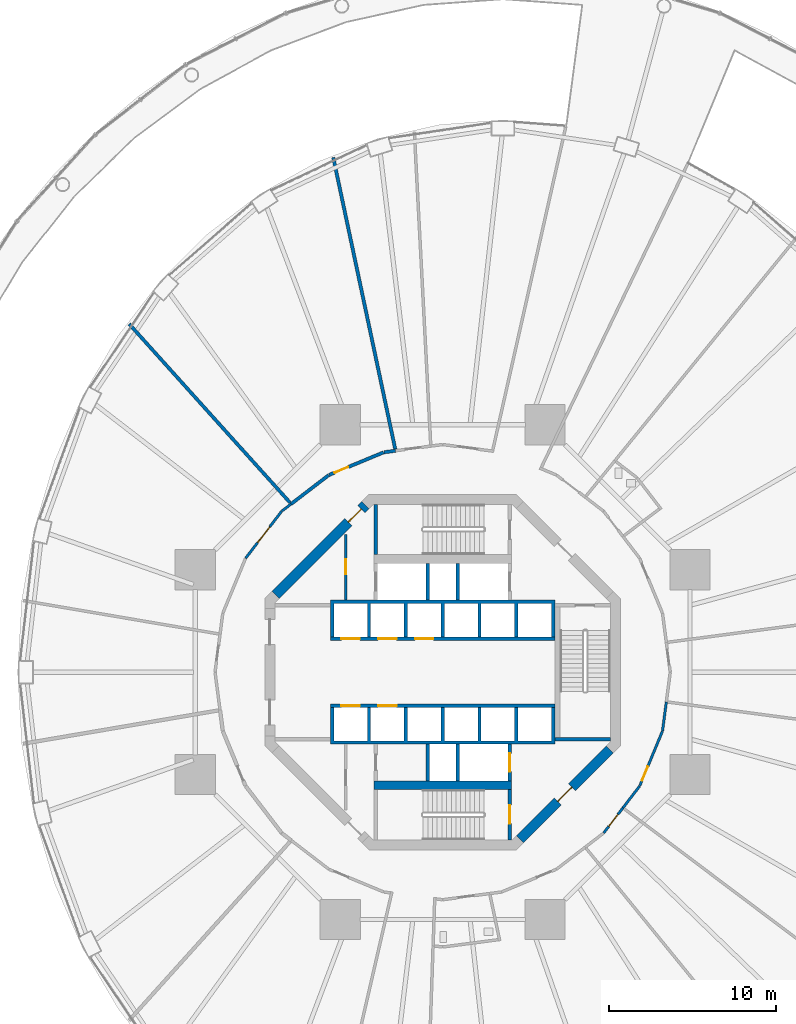
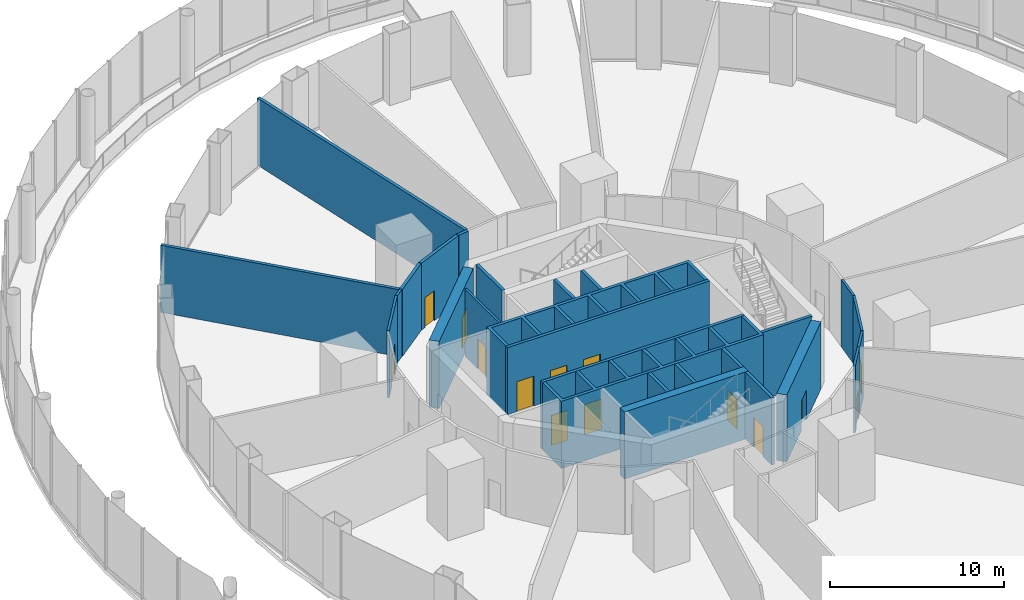
# One storey, part 43 of 48: 27 walls, 14 doors, 14 openings.
"""IFC4 building model written with IfcOpenShell, lengths in metres."""

from ifc_helpers import new_model, si_unit, direction, frame, frame_2d, origin, place, context, subcontext, project, spatial, polyline, rectangle, outline, extrude, material, layer, layer_set, type_object, element, fill, save


model = new_model("IFC4")

# Units and contexts
model_context = context("Model", 3, precision=1e-05, world=origin(), true_north=direction((0.0, 1.0)))
body_context = subcontext(model_context, "Body", "Model", "MODEL_VIEW")
ifc_project = project(units=[si_unit("LENGTHUNIT", "METRE"), si_unit("AREAUNIT", "SQUARE_METRE"), si_unit("VOLUMEUNIT", "CUBIC_METRE"), si_unit("PLANEANGLEUNIT", "RADIAN"), si_unit("MASSUNIT", "GRAM", prefix="KILO")], contexts=[model_context])

# Site, building, storey
site_placement = place(None, origin())
site = spatial("IfcSite", under=ifc_project, at=site_placement, CompositionType="ELEMENT")
building_placement = place(site_placement, origin())
building = spatial("IfcBuilding", under=site, at=building_placement, Name="Nagisa Residences", CompositionType="ELEMENT")
storey_placement = place(building_placement, frame((0.0, 0.0, 12.0)))
storey = spatial("IfcBuildingStorey", under=building, at=storey_placement, Name="L02", CompositionType="ELEMENT", Elevation=12.0)

# Wall, opening, door
ifc_material_1 = material(Name="Gypsum board on steel studs", Category="steel")
ifc_layer_1 = layer(ifc_material_1, 0.14990234375)
ifc_layer_set_1 = layer_set([ifc_layer_1], Name="Core partition 150")
wall_type_1 = type_object("IfcWallType", Name="Core partition 150", PredefinedType="PARTITIONING", material=ifc_layer_set_1)
wall_1_placement = place(storey_placement, frame((-5.800048828125, 4.300048828125, 0.0), z_axis=(0.0, 0.0, 1.0), x_axis=(0.0, 1.0, 0.0)))
wall_1 = element("IfcWall", 1, at=wall_1_placement, inside=storey, type_object=wall_type_1, Name="wall:L02:NWp", PredefinedType="PARTITIONING", context=body_context, shape_type="SweptSolid", body=[
    extrude(rectangle(XDim=3.927001953125, YDim=0.14990234375, at=frame_2d((1.96337890625, 0.0))), origin(), (0.0, 0.0, 1.0), 4.699951171875),
])
opening_1_placement = place(wall_1_placement, frame((1.551025390625, 0.0, 0.0)))
opening_1 = element("IfcOpeningElement", 2, at=opening_1_placement, cuts=wall_1, Name="Opening L02-C12", PredefinedType="OPENING", context=body_context, shape_type="SweptSolid", body=[
    extrude(rectangle(XDim=0.89990234375, YDim=2.10009765625, at=frame_2d((0.449951171875, 1.050048828125))), frame((0.0, 0.0849609375, 0.0), z_axis=(0.0, -1.0, 0.0), x_axis=(1.0, 0.0, 0.0)), (0.0, 0.0, 1.0), 0.169921875),
])
ifc_material_2 = material(Name="Steel fire door", Category="steel")
door_type_1 = type_object("IfcDoorType", Name="Fire door EI30 900x2100 single swing", OperationType="NOTDEFINED", PredefinedType="DOOR", material=ifc_material_2)
door_1_placement = place(opening_1_placement, origin())
door_1 = element("IfcDoor", 3, at=door_1_placement, inside=storey, type_object=door_type_1, Name="Electrical room door L02", OperationType="SINGLE_SWING_LEFT", OverallHeight=2.10009765625, OverallWidth=0.89990234375, PredefinedType="DOOR", context=body_context, shape_type="SweptSolid", body=[
    extrude(rectangle(XDim=0.89990234375, YDim=2.10009765625, at=frame_2d((0.449951171875, 1.050048828125))), frame((0.0, 0.02490234375, 0.0), z_axis=(0.0, -1.0, 0.0), x_axis=(1.0, 0.0, 0.0)), (0.0, 0.0, 1.0), 0.050048828125),
])
fill(opening_1, door_1)

ifc_material_3 = material(Name="Concrete C60", Category="concrete")
ifc_layer_2 = layer(ifc_material_3, 0.60009765625)
ifc_layer_set_2 = layer_set([ifc_layer_2], Name="Core shear wall 600")
wall_type_2 = type_object("IfcWallType", Name="Core shear wall 600", PredefinedType="SHEAR", material=ifc_layer_set_2)
wall_2_placement = place(storey_placement, frame((-4.613037109375, 9.98828125, 0.0), z_axis=(0.0, 0.0, 1.0), x_axis=(-0.707106781187, -0.707106781187, 0.0)))
wall_2 = element("IfcWall", 4, at=wall_2_placement, inside=storey, type_object=wall_type_2, Name="wall:L02:core:flat3", PredefinedType="SHEAR", context=body_context, shape_type="SweptSolid", body=[
    extrude(rectangle(XDim=7.601806640625, YDim=0.60009765625, at=frame_2d((3.80078125, 0.0))), origin(), (0.0, 0.0, 1.0), 4.699951171875),
])
opening_2_placement = place(wall_2_placement, frame((0.350830078125, 0.0, 0.0)))
opening_2 = element("IfcOpeningElement", 5, at=opening_2_placement, cuts=wall_2, Name="Opening L02-C19", PredefinedType="OPENING", context=body_context, shape_type="SweptSolid", body=[
    extrude(rectangle(XDim=1.10009765625, YDim=2.10009765625, at=frame_2d((0.550048828125, 1.050048828125))), frame((0.0, 0.31005859375, 0.0), z_axis=(0.0, -1.0, 0.0), x_axis=(1.0, 0.0, 0.0)), (0.0, 0.0, 1.0), 0.6201171875),
])
ifc_material_4 = material(Name="Steel fire door", Category="steel")
door_type_2 = type_object("IfcDoorType", Name="Fire door EI60 1100x2100 single swing", OperationType="NOTDEFINED", PredefinedType="DOOR", material=ifc_material_4)
door_2_placement = place(opening_2_placement, origin())
door_2 = element("IfcDoor", 6, at=door_2_placement, inside=storey, type_object=door_type_2, Name="Service lobby door L02", OperationType="SINGLE_SWING_RIGHT", OverallHeight=2.10009765625, OverallWidth=1.10009765625, PredefinedType="DOOR", context=body_context, shape_type="SweptSolid", body=[
    extrude(rectangle(XDim=1.10009765625, YDim=2.10009765625, at=frame_2d((0.550048828125, 1.050048828125))), frame((0.0, 0.02490234375, 0.0), z_axis=(0.0, -1.0, 0.0), x_axis=(1.0, 0.0, 0.0)), (0.0, 0.0, 1.0), 0.050048828125),
])
fill(opening_2, door_2)

wall_3_placement = place(storey_placement, frame((4.613037109375, -9.98828125, 0.0), z_axis=(0.0, 0.0, 1.0), x_axis=(0.707106781187, 0.707106781187, 0.0)))
wall_3 = element("IfcWall", 7, at=wall_3_placement, inside=storey, type_object=wall_type_2, Name="wall:L02:core:flat7", PredefinedType="SHEAR", context=body_context, shape_type="SweptSolid", body=[
    extrude(rectangle(XDim=7.601806640625, YDim=0.60009765625, at=frame_2d((3.80078125, 0.0))), origin(), (0.0, 0.0, 1.0), 4.699951171875),
])
opening_3_placement = place(wall_3_placement, frame((3.200927734375, 0.0, 0.0)))
opening_3 = element("IfcOpeningElement", 8, at=opening_3_placement, cuts=wall_3, Name="Opening L02-C16", PredefinedType="OPENING", context=body_context, shape_type="SweptSolid", body=[
    extrude(rectangle(XDim=1.199951171875, YDim=2.10009765625, at=frame_2d((0.60009765625, 1.050048828125))), frame((0.0, 0.31005859375, 0.0), z_axis=(0.0, -1.0, 0.0), x_axis=(1.0, 0.0, 0.0)), (0.0, 0.0, 1.0), 0.6201171875),
])
ifc_material_5 = material(Name="Steel fire door", Category="steel")
door_type_3 = type_object("IfcDoorType", Name="Fire door EI60 1200x2100 single swing", OperationType="NOTDEFINED", PredefinedType="DOOR", material=ifc_material_5)
door_3_placement = place(opening_3_placement, origin())
door_3 = element("IfcDoor", 9, at=door_3_placement, inside=storey, type_object=door_type_3, Name="Firefighting lobby 2 door L02", OperationType="SINGLE_SWING_RIGHT", OverallHeight=2.10009765625, OverallWidth=1.199951171875, PredefinedType="DOOR", context=body_context, shape_type="SweptSolid", body=[
    extrude(rectangle(XDim=1.199951171875, YDim=2.10009765625, at=frame_2d((0.60009765625, 1.050048828125))), frame((0.0, 0.02490234375, 0.0), z_axis=(0.0, -1.0, 0.0), x_axis=(1.0, 0.0, 0.0)), (0.0, 0.0, 1.0), 0.050048828125),
])
fill(opening_3, door_3)

# Wall, openings, doors
ifc_material_6 = material(Name="Concrete C60", Category="concrete")
ifc_layer_3 = layer(ifc_material_6, 0.199951171875)
ifc_layer_set_3 = layer_set([ifc_layer_3], Name="Lift shaft wall 200")
wall_type_3 = type_object("IfcWallType", Name="Lift shaft wall 200", PredefinedType="SOLIDWALL", material=ifc_layer_set_3)
wall_4_placement = place(storey_placement, frame((-6.699951171875, 2.0, 0.0), z_axis=(0.0, 0.0, 1.0), x_axis=(1.0, 0.0, 0.0)))
wall_4 = element("IfcWall", 10, at=wall_4_placement, inside=storey, type_object=wall_type_3, Name="wall:L02:Nfront", PredefinedType="SOLIDWALL", context=body_context, shape_type="SweptSolid", body=[
    extrude(rectangle(XDim=13.39990234375, YDim=0.199951171875, at=frame_2d((6.699951171875, 0.0))), origin(), (0.0, 0.0, 1.0), 4.699951171875),
])
opening_4_placement = place(wall_4_placement, frame((0.64990234375, 0.0, 0.0)))
opening_4 = element("IfcOpeningElement", 11, at=opening_4_placement, cuts=wall_4, Name="Opening L02-C01", PredefinedType="OPENING", context=body_context, shape_type="SweptSolid", body=[
    extrude(rectangle(XDim=1.10009765625, YDim=2.10009765625, at=frame_2d((0.550048828125, 1.050048828125))), frame((0.0, 0.10986328125, 0.0), z_axis=(0.0, -1.0, 0.0), x_axis=(1.0, 0.0, 0.0)), (0.0, 0.0, 1.0), 0.219970703125),
])
opening_5_placement = place(wall_4_placement, frame((2.85009765625, 0.0, 0.0)))
opening_5 = element("IfcOpeningElement", 12, at=opening_5_placement, cuts=wall_4, Name="Opening L02-C02", PredefinedType="OPENING", context=body_context, shape_type="SweptSolid", body=[
    extrude(rectangle(XDim=1.10009765625, YDim=2.10009765625, at=frame_2d((0.550048828125, 1.050048828125))), frame((0.0, 0.10986328125, 0.0), z_axis=(0.0, -1.0, 0.0), x_axis=(1.0, 0.0, 0.0)), (0.0, 0.0, 1.0), 0.219970703125),
])
opening_6_placement = place(wall_4_placement, frame((5.050048828125, 0.0, 0.0)))
opening_6 = element("IfcOpeningElement", 13, at=opening_6_placement, cuts=wall_4, Name="Opening L02-C03", PredefinedType="OPENING", context=body_context, shape_type="SweptSolid", body=[
    extrude(rectangle(XDim=1.10009765625, YDim=2.10009765625, at=frame_2d((0.550048828125, 1.050048828125))), frame((0.0, 0.10986328125, 0.0), z_axis=(0.0, -1.0, 0.0), x_axis=(1.0, 0.0, 0.0)), (0.0, 0.0, 1.0), 0.219970703125),
])
ifc_material_7 = material(Name="Stainless steel", Category="steel")
door_type_4 = type_object("IfcDoorType", Name="Lift landing door 1100x2100", OperationType="DOUBLE_DOOR_SLIDING", PredefinedType="DOOR", material=ifc_material_7)
door_4_placement = place(opening_4_placement, origin())
door_4 = element("IfcDoor", 14, at=door_4_placement, inside=storey, type_object=door_type_4, Name="Landing door A1 L02", OperationType="DOUBLE_DOOR_SLIDING", OverallHeight=2.10009765625, OverallWidth=1.10009765625, PredefinedType="DOOR", context=body_context, shape_type="SweptSolid", body=[
    extrude(rectangle(XDim=1.10009765625, YDim=2.10009765625, at=frame_2d((0.550048828125, 1.050048828125))), frame((0.0, 0.02490234375, 0.0), z_axis=(0.0, -1.0, 0.0), x_axis=(1.0, 0.0, 0.0)), (0.0, 0.0, 1.0), 0.050048828125),
])
fill(opening_4, door_4)
door_5_placement = place(opening_5_placement, origin())
door_5 = element("IfcDoor", 15, at=door_5_placement, inside=storey, type_object=door_type_4, Name="Landing door A2 L02", OperationType="DOUBLE_DOOR_SLIDING", OverallHeight=2.10009765625, OverallWidth=1.10009765625, PredefinedType="DOOR", context=body_context, shape_type="SweptSolid", body=[
    extrude(rectangle(XDim=1.10009765625, YDim=2.10009765625, at=frame_2d((0.550048828125, 1.050048828125))), frame((0.0, 0.02490234375, 0.0), z_axis=(0.0, -1.0, 0.0), x_axis=(1.0, 0.0, 0.0)), (0.0, 0.0, 1.0), 0.050048828125),
])
fill(opening_5, door_5)
door_6_placement = place(opening_6_placement, origin())
door_6 = element("IfcDoor", 16, at=door_6_placement, inside=storey, type_object=door_type_4, Name="Landing door A3 L02", OperationType="DOUBLE_DOOR_SLIDING", OverallHeight=2.10009765625, OverallWidth=1.10009765625, PredefinedType="DOOR", context=body_context, shape_type="SweptSolid", body=[
    extrude(rectangle(XDim=1.10009765625, YDim=2.10009765625, at=frame_2d((0.550048828125, 1.050048828125))), frame((0.0, 0.02490234375, 0.0), z_axis=(0.0, -1.0, 0.0), x_axis=(1.0, 0.0, 0.0)), (0.0, 0.0, 1.0), 0.050048828125),
])
fill(opening_6, door_6)

# Wall, opening, door
wall_5_placement = place(storey_placement, frame((4.0, -6.5, 0.0), z_axis=(0.0, 0.0, 1.0), x_axis=(0.0, 1.0, 0.0)))
wall_5 = element("IfcWall", 17, at=wall_5_placement, inside=storey, type_object=wall_type_3, Name="wall:L02:Sb3", PredefinedType="SOLIDWALL", context=body_context, shape_type="SweptSolid", body=[
    extrude(rectangle(XDim=2.199951171875, YDim=0.199951171875, at=frame_2d((1.10009765625, 0.0))), origin(), (0.0, 0.0, 1.0), 4.699951171875),
])
opening_7_placement = place(wall_5_placement, frame((0.550048828125, 0.0, 0.0)))
opening_7 = element("IfcOpeningElement", 18, at=opening_7_placement, cuts=wall_5, Name="Opening L02-C07", PredefinedType="OPENING", context=body_context, shape_type="SweptSolid", body=[
    extrude(rectangle(XDim=1.10009765625, YDim=2.10009765625, at=frame_2d((0.550048828125, 1.050048828125))), frame((0.0, 0.10986328125, 0.0), z_axis=(0.0, -1.0, 0.0), x_axis=(1.0, 0.0, 0.0)), (0.0, 0.0, 1.0), 0.219970703125),
])
door_7_placement = place(opening_7_placement, origin())
door_7 = element("IfcDoor", 19, at=door_7_placement, inside=storey, type_object=door_type_4, Name="Landing door FL2 L02", OperationType="DOUBLE_DOOR_SLIDING", OverallHeight=2.10009765625, OverallWidth=1.10009765625, PredefinedType="DOOR", context=body_context, shape_type="SweptSolid", body=[
    extrude(rectangle(XDim=1.10009765625, YDim=2.10009765625, at=frame_2d((0.550048828125, 1.050048828125))), frame((0.0, 0.02490234375, 0.0), z_axis=(0.0, -1.0, 0.0), x_axis=(1.0, 0.0, 0.0)), (0.0, 0.0, 1.0), 0.050048828125),
])
fill(opening_7, door_7)

# Wall, openings, doors
wall_6_placement = place(storey_placement, frame((-6.699951171875, -2.0, 0.0), z_axis=(0.0, 0.0, 1.0), x_axis=(1.0, 0.0, 0.0)))
wall_6 = element("IfcWall", 20, at=wall_6_placement, inside=storey, type_object=wall_type_3, Name="wall:L02:Sfront", PredefinedType="SOLIDWALL", context=body_context, shape_type="SweptSolid", body=[
    extrude(rectangle(XDim=13.39990234375, YDim=0.199951171875, at=frame_2d((6.699951171875, 0.0))), origin(), (0.0, 0.0, 1.0), 4.699951171875),
])
opening_8_placement = place(wall_6_placement, frame((0.64990234375, 0.0, 0.0)))
opening_8 = element("IfcOpeningElement", 21, at=opening_8_placement, cuts=wall_6, Name="Opening L02-C04", PredefinedType="OPENING", context=body_context, shape_type="SweptSolid", body=[
    extrude(rectangle(XDim=1.10009765625, YDim=2.10009765625, at=frame_2d((0.550048828125, 1.050048828125))), frame((0.0, 0.10986328125, 0.0), z_axis=(0.0, -1.0, 0.0), x_axis=(1.0, 0.0, 0.0)), (0.0, 0.0, 1.0), 0.219970703125),
])
opening_9_placement = place(wall_6_placement, frame((2.85009765625, 0.0, 0.0)))
opening_9 = element("IfcOpeningElement", 22, at=opening_9_placement, cuts=wall_6, Name="Opening L02-C05", PredefinedType="OPENING", context=body_context, shape_type="SweptSolid", body=[
    extrude(rectangle(XDim=1.10009765625, YDim=2.10009765625, at=frame_2d((0.550048828125, 1.050048828125))), frame((0.0, 0.10986328125, 0.0), z_axis=(0.0, -1.0, 0.0), x_axis=(1.0, 0.0, 0.0)), (0.0, 0.0, 1.0), 0.219970703125),
])
door_8_placement = place(opening_8_placement, origin())
door_8 = element("IfcDoor", 23, at=door_8_placement, inside=storey, type_object=door_type_4, Name="Landing door A4 L02", OperationType="DOUBLE_DOOR_SLIDING", OverallHeight=2.10009765625, OverallWidth=1.10009765625, PredefinedType="DOOR", context=body_context, shape_type="SweptSolid", body=[
    extrude(rectangle(XDim=1.10009765625, YDim=2.10009765625, at=frame_2d((0.550048828125, 1.050048828125))), frame((0.0, 0.02490234375, 0.0), z_axis=(0.0, -1.0, 0.0), x_axis=(1.0, 0.0, 0.0)), (0.0, 0.0, 1.0), 0.050048828125),
])
fill(opening_8, door_8)
door_9_placement = place(opening_9_placement, origin())
door_9 = element("IfcDoor", 24, at=door_9_placement, inside=storey, type_object=door_type_4, Name="Landing door A5 L02", OperationType="DOUBLE_DOOR_SLIDING", OverallHeight=2.10009765625, OverallWidth=1.10009765625, PredefinedType="DOOR", context=body_context, shape_type="SweptSolid", body=[
    extrude(rectangle(XDim=1.10009765625, YDim=2.10009765625, at=frame_2d((0.550048828125, 1.050048828125))), frame((0.0, 0.02490234375, 0.0), z_axis=(0.0, -1.0, 0.0), x_axis=(1.0, 0.0, 0.0)), (0.0, 0.0, 1.0), 0.050048828125),
])
fill(opening_9, door_9)

# Walls
for number, where, z_axis, x_axis, name in (
    (25, (-0.89990234375, -6.5, 0.0), (0.0, 0.0, 1.0), (0.0, 1.0, 0.0), "wall:L02:Sb1"),
    (26, (0.89990234375, -6.5, 0.0), (0.0, 0.0, 1.0), (0.0, 1.0, 0.0), "wall:L02:Sb2"),
):
    element("IfcWall", number, at=place(storey_placement, frame(where, z_axis=z_axis, x_axis=x_axis)), inside=storey, type_object=wall_type_3, Name=name, PredefinedType="SOLIDWALL", context=body_context, shape_type="SweptSolid", body=[
        extrude(rectangle(XDim=2.199951171875, YDim=0.199951171875, at=frame_2d((1.10009765625, 0.0))), origin(), (0.0, 0.0, 1.0), 4.699951171875),
    ])
wall_7_placement = place(storey_placement, origin())
element("IfcWall", 27, at=wall_7_placement, inside=storey, type_object=wall_type_3, Name="wall:L02:Sback", PredefinedType="SOLIDWALL", context=body_context, shape_type="SweptSolid", body=[
    extrude(outline(polyline([(-6.699951171875, -2.10009765625), (-6.5, -2.10009765625), (-6.5, -4.10009765625), (-4.5, -4.10009765625), (-4.5, -2.10009765625), (-4.300048828125, -2.10009765625), (-4.300048828125, -4.10009765625), (-2.300048828125, -4.10009765625), (-2.300048828125, -2.10009765625), (-2.10009765625, -2.10009765625), (-2.10009765625, -4.10009765625), (-0.10009765625, -4.10009765625), (-0.10009765625, -2.10009765625), (0.10009765625, -2.10009765625), (0.10009765625, -4.10009765625), (2.10009765625, -4.10009765625), (2.10009765625, -2.10009765625), (2.300048828125, -2.10009765625), (2.300048828125, -4.10009765625), (4.300048828125, -4.10009765625), (4.300048828125, -2.10009765625), (4.5, -2.10009765625), (4.5, -4.10009765625), (6.5, -4.10009765625), (6.5, -2.10009765625), (6.699951171875, -2.10009765625), (6.699951171875, -4.300048828125), (-6.699951171875, -4.300048828125), (-6.699951171875, -2.10009765625)])), origin(), (0.0, 0.0, 1.0), 4.699951171875),
])
for number, where, z_axis, x_axis, name in (
    (28, (-0.89990234375, 4.300048828125, 0.0), (0.0, 0.0, 1.0), (0.0, 1.0, 0.0), "wall:L02:Nb1"),
    (29, (0.89990234375, 4.300048828125, 0.0), (0.0, 0.0, 1.0), (0.0, 1.0, 0.0), "wall:L02:Nb2"),
):
    element("IfcWall", number, at=place(storey_placement, frame(where, z_axis=z_axis, x_axis=x_axis)), inside=storey, type_object=wall_type_3, Name=name, PredefinedType="SOLIDWALL", context=body_context, shape_type="SweptSolid", body=[
        extrude(rectangle(XDim=2.199951171875, YDim=0.199951171875, at=frame_2d((1.10009765625, 0.0))), origin(), (0.0, 0.0, 1.0), 4.699951171875),
    ])
wall_8_placement = place(storey_placement, origin())
element("IfcWall", 30, at=wall_8_placement, inside=storey, type_object=wall_type_3, Name="wall:L02:Nback", PredefinedType="SOLIDWALL", context=body_context, shape_type="SweptSolid", body=[
    extrude(outline(polyline([(-6.5, 2.10009765625), (-6.699951171875, 2.10009765625), (-6.699951171875, 4.300048828125), (6.699951171875, 4.300048828125), (6.699951171875, 2.10009765625), (6.5, 2.10009765625), (6.5, 4.10009765625), (4.5, 4.10009765625), (4.5, 2.10009765625), (4.300048828125, 2.10009765625), (4.300048828125, 4.10009765625), (2.300048828125, 4.10009765625), (2.300048828125, 2.10009765625), (2.10009765625, 2.10009765625), (2.10009765625, 4.10009765625), (0.10009765625, 4.10009765625), (0.10009765625, 2.10009765625), (-0.10009765625, 2.10009765625), (-0.10009765625, 4.10009765625), (-2.10009765625, 4.10009765625), (-2.10009765625, 2.10009765625), (-2.300048828125, 2.10009765625), (-2.300048828125, 4.10009765625), (-4.300048828125, 4.10009765625), (-4.300048828125, 2.10009765625), (-4.5, 2.10009765625), (-4.5, 4.10009765625), (-6.5, 4.10009765625), (-6.5, 2.10009765625)])), origin(), (0.0, 0.0, 1.0), 4.699951171875),
])
ifc_material_8 = material(Name="Gypsum board on steel studs", Category="steel")
ifc_layer_4 = layer(ifc_material_8, 0.199951171875)
ifc_layer_set_4 = layer_set([ifc_layer_4], Name="Plant room wall EI120 200")
wall_type_4 = type_object("IfcWallType", Name="Plant room wall EI120 200", PredefinedType="PARTITIONING", material=ifc_layer_set_4)
wall_9_placement = place(storey_placement, frame((-18.73095703125, 20.802734375, 0.0), z_axis=(0.0, 0.0, 1.0), x_axis=(0.669127133422, -0.743147952509, 0.0)))
element("IfcWall", 31, at=wall_9_placement, inside=storey, type_object=wall_type_4, Name="wall:L02:am051", PredefinedType="PARTITIONING", context=body_context, shape_type="SweptSolid", body=[
    extrude(rectangle(XDim=14.3671875, YDim=0.199951171875, at=frame_2d((7.18359375, 0.0))), origin(), (0.0, 0.0, 1.0), 4.699951171875),
])
wall_10_placement = place(storey_placement, frame((-9.05029296875, 10.05126953125, 0.0), z_axis=(0.0, 0.0, 1.0), x_axis=(0.793389024662, 0.608714921409, 0.0)))
element("IfcWall", 32, at=wall_10_placement, inside=storey, type_object=wall_type_4, Name="wall:L02:am057", PredefinedType="PARTITIONING", context=body_context, shape_type="SweptSolid", body=[
    extrude(rectangle(XDim=2.821044921875, YDim=0.199951171875, at=frame_2d((1.41064453125, 0.0))), origin(), (0.0, 0.0, 1.0), 4.699951171875),
])

# Wall, opening, door
wall_11_placement = place(storey_placement, frame((-6.785888671875, 11.78369140625, 0.0), z_axis=(0.0, 0.0, 1.0), x_axis=(0.92386297064, 0.382723413813, 0.0)))
wall_11 = element("IfcWall", 33, at=wall_11_placement, inside=storey, type_object=wall_type_4, Name="wall:L02:am058", PredefinedType="PARTITIONING", context=body_context, shape_type="SweptSolid", body=[
    extrude(rectangle(XDim=3.52001953125, YDim=0.199951171875, at=frame_2d((1.760009765625, 0.0))), origin(), (0.0, 0.0, 1.0), 4.699951171875),
])
opening_10_placement = place(wall_11_placement, frame((0.34228515625, 0.0, 0.0)))
opening_10 = element("IfcOpeningElement", 34, at=opening_10_placement, cuts=wall_11, Name="Opening L02-A06", PredefinedType="OPENING", context=body_context, shape_type="SweptSolid", body=[
    extrude(rectangle(XDim=0.89990234375, YDim=2.10009765625, at=frame_2d((0.449951171875, 1.050048828125))), frame((0.0, 0.10986328125, 0.0), z_axis=(0.0, -1.0, 0.0), x_axis=(1.0, 0.0, 0.0)), (0.0, 0.0, 1.0), 0.219970703125),
])
ifc_material_9 = material(Name="Steel fire door", Category="steel")
door_type_5 = type_object("IfcDoorType", Name="Fire door EI120 900x2100 single swing", OperationType="NOTDEFINED", PredefinedType="DOOR", material=ifc_material_9)
door_10_placement = place(opening_10_placement, origin())
door_10 = element("IfcDoor", 35, at=door_10_placement, inside=storey, type_object=door_type_5, Name="Club kitchen door", OperationType="SINGLE_SWING_RIGHT", OverallHeight=2.10009765625, OverallWidth=0.89990234375, PredefinedType="DOOR", context=body_context, shape_type="SweptSolid", body=[
    extrude(rectangle(XDim=0.89990234375, YDim=2.10009765625, at=frame_2d((0.449951171875, 1.050048828125))), frame((0.0, 0.02490234375, 0.0), z_axis=(0.0, -1.0, 0.0), x_axis=(1.0, 0.0, 0.0)), (0.0, 0.0, 1.0), 0.050048828125),
])
fill(opening_10, door_10)

# Walls
wall_12_placement = place(storey_placement, frame((-3.5048828125, 13.138671875, 0.0), z_axis=(0.0, 0.0, 1.0), x_axis=(0.991473310532, 0.130309917135, 0.0)))
element("IfcWall", 36, at=wall_12_placement, inside=storey, type_object=wall_type_4, Name="wall:L02:am059", PredefinedType="PARTITIONING", context=body_context, shape_type="SweptSolid", body=[
    extrude(rectangle(XDim=0.69873046875, YDim=0.199951171875, at=frame_2d((0.349365234375, 0.0))), origin(), (0.0, 0.0, 1.0), 4.699951171875),
])
wall_13_placement = place(storey_placement, frame((-2.8330078125, 13.327880859375, 0.0), z_axis=(0.0, 0.0, 1.0), x_axis=(-0.207909569071, 0.978148051722, 0.0)))
element("IfcWall", 37, at=wall_13_placement, inside=storey, type_object=wall_type_4, Name="wall:L02:am060", PredefinedType="PARTITIONING", context=body_context, shape_type="SweptSolid", body=[
    extrude(rectangle(XDim=17.8134765625, YDim=0.199951171875, at=frame_2d((8.90673828125, 0.0))), origin(), (0.0, 0.0, 1.0), 4.699951171875),
])

# Wall, opening, door
ifc_material_10 = material(Name="Gypsum board on steel studs", Category="steel")
ifc_layer_5 = layer(ifc_material_10, 0.14990234375)
ifc_layer_set_5 = layer_set([ifc_layer_5], Name="Room partition EI60 150")
wall_type_5 = type_object("IfcWallType", Name="Room partition EI60 150", PredefinedType="PARTITIONING", material=ifc_layer_set_5)
wall_14_placement = place(storey_placement, frame((-11.770751953125, 6.809326171875, 0.0), z_axis=(0.0, 0.0, 1.0), x_axis=(0.608736710054, 0.793372307201, 0.0)))
wall_14 = element("IfcWall", 38, at=wall_14_placement, inside=storey, type_object=wall_type_5, Name="wall:L02:am005", PredefinedType="PARTITIONING", context=body_context, shape_type="SweptSolid", body=[
    extrude(rectangle(XDim=3.526611328125, YDim=0.14990234375, at=frame_2d((1.76318359375, 0.0))), origin(), (0.0, 0.0, 1.0), 4.699951171875),
])
opening_11_placement = place(wall_14_placement, frame((1.163330078125, 0.0, 0.0)))
opening_11 = element("IfcOpeningElement", 39, at=opening_11_placement, cuts=wall_14, Name="Opening L02-A07", PredefinedType="OPENING", context=body_context, shape_type="SweptSolid", body=[
    extrude(rectangle(XDim=1.199951171875, YDim=2.10009765625, at=frame_2d((0.60009765625, 1.050048828125))), frame((0.0, 0.0849609375, 0.0), z_axis=(0.0, -1.0, 0.0), x_axis=(1.0, 0.0, 0.0)), (0.0, 0.0, 1.0), 0.169921875),
])
ifc_material_11 = material(Name="Steel fire door", Category="steel")
door_type_6 = type_object("IfcDoorType", Name="Fire door EI30 1200x2100 single swing", OperationType="NOTDEFINED", PredefinedType="DOOR", material=ifc_material_11)
door_11_placement = place(opening_11_placement, frame((1.199951171875, 0.0, 0.0), x_axis=(-1.0, 0.0, 0.0)))
door_11 = element("IfcDoor", 40, at=door_11_placement, inside=storey, type_object=door_type_6, Name="Games room door", OperationType="SINGLE_SWING_RIGHT", OverallHeight=2.10009765625, OverallWidth=1.199951171875, PredefinedType="DOOR", context=body_context, shape_type="SweptSolid", body=[
    extrude(rectangle(XDim=1.199951171875, YDim=2.10009765625, at=frame_2d((0.60009765625, 1.050048828125))), frame((0.0, 0.02490234375, 0.0), z_axis=(0.0, -1.0, 0.0), x_axis=(1.0, 0.0, 0.0)), (0.0, 0.0, 1.0), 0.050048828125),
])
fill(opening_11, door_11)

# Wall
wall_15_placement = place(storey_placement, frame((-9.607177734375, 9.6240234375, 0.0), z_axis=(0.0, 0.0, 1.0), x_axis=(0.793399175387, 0.608701690893, 0.0)))
element("IfcWall", 41, at=wall_15_placement, inside=storey, type_object=wall_type_5, Name="wall:L02:am006", PredefinedType="PARTITIONING", context=body_context, shape_type="SweptSolid", body=[
    extrude(rectangle(XDim=0.701904296875, YDim=0.14990234375, at=frame_2d((0.35107421875, 0.0))), origin(), (0.0, 0.0, 1.0), 4.699951171875),
])

# Wall, opening, door
wall_16_placement = place(storey_placement, frame((10.773681640625, -8.10888671875, 0.0), z_axis=(0.0, 0.0, 1.0), x_axis=(-0.608754453805, -0.793358692504, 0.0)))
wall_16 = element("IfcWall", 42, at=wall_16_placement, inside=storey, type_object=wall_type_5, Name="wall:L02:am035", PredefinedType="PARTITIONING", context=body_context, shape_type="SweptSolid", body=[
    extrude(rectangle(XDim=1.888427734375, YDim=0.14990234375, at=frame_2d((0.9443359375, 0.0))), origin(), (0.0, 0.0, 1.0), 4.699951171875),
])
opening_12_placement = place(wall_16_placement, frame((0.500244140625, 0.0, 0.0)))
opening_12 = element("IfcOpeningElement", 43, at=opening_12_placement, cuts=wall_16, Name="Opening L02-A13", PredefinedType="OPENING", context=body_context, shape_type="SweptSolid", body=[
    extrude(rectangle(XDim=0.89990234375, YDim=2.10009765625, at=frame_2d((0.449951171875, 1.050048828125))), frame((0.0, 0.0849609375, 0.0), z_axis=(0.0, -1.0, 0.0), x_axis=(1.0, 0.0, 0.0)), (0.0, 0.0, 1.0), 0.169921875),
])
door_12_placement = place(opening_12_placement, origin())
door_12 = element("IfcDoor", 44, at=door_12_placement, inside=storey, type_object=door_type_1, Name="Tatami room door", OperationType="SINGLE_SWING_LEFT", OverallHeight=2.10009765625, OverallWidth=0.89990234375, PredefinedType="DOOR", context=body_context, shape_type="SweptSolid", body=[
    extrude(rectangle(XDim=0.89990234375, YDim=2.10009765625, at=frame_2d((0.449951171875, 1.050048828125))), frame((0.0, 0.02490234375, 0.0), z_axis=(0.0, -1.0, 0.0), x_axis=(1.0, 0.0, 0.0)), (0.0, 0.0, 1.0), 0.050048828125),
])
fill(opening_12, door_12)

# Wall
wall_17_placement = place(storey_placement, frame((11.770751953125, -6.809326171875, 0.0), z_axis=(0.0, 0.0, 1.0), x_axis=(-0.608716251771, -0.793388003961, 0.0)))
element("IfcWall", 45, at=wall_17_placement, inside=storey, type_object=wall_type_5, Name="wall:L02:am039", PredefinedType="PARTITIONING", context=body_context, shape_type="SweptSolid", body=[
    extrude(rectangle(XDim=1.637939453125, YDim=0.14990234375, at=frame_2d((0.81884765625, 0.0))), origin(), (0.0, 0.0, 1.0), 4.699951171875),
])

# Wall, opening, door
wall_18_placement = place(storey_placement, frame((13.132080078125, -3.53076171875, 0.0), z_axis=(0.0, 0.0, 1.0), x_axis=(-0.382677866108, -0.923881838111, 0.0)))
wall_18 = element("IfcWall", 46, at=wall_18_placement, inside=storey, type_object=wall_type_5, Name="wall:L02:am042", PredefinedType="PARTITIONING", context=body_context, shape_type="SweptSolid", body=[
    extrude(rectangle(XDim=3.52685546875, YDim=0.14990234375, at=frame_2d((1.763427734375, 0.0))), origin(), (0.0, 0.0, 1.0), 4.699951171875),
])
opening_13_placement = place(wall_18_placement, frame((2.281005859375, 0.0, 0.0)))
opening_13 = element("IfcOpeningElement", 47, at=opening_13_placement, cuts=wall_18, Name="Opening L02-A14", PredefinedType="OPENING", context=body_context, shape_type="SweptSolid", body=[
    extrude(rectangle(XDim=0.89990234375, YDim=2.10009765625, at=frame_2d((0.449951171875, 1.050048828125))), frame((0.0, 0.0849609375, 0.0), z_axis=(0.0, -1.0, 0.0), x_axis=(1.0, 0.0, 0.0)), (0.0, 0.0, 1.0), 0.169921875),
])
door_13_placement = place(opening_13_placement, origin())
door_13 = element("IfcDoor", 48, at=door_13_placement, inside=storey, type_object=door_type_1, Name="Residents' association office door", OperationType="SINGLE_SWING_RIGHT", OverallHeight=2.10009765625, OverallWidth=0.89990234375, PredefinedType="DOOR", context=body_context, shape_type="SweptSolid", body=[
    extrude(rectangle(XDim=0.89990234375, YDim=2.10009765625, at=frame_2d((0.449951171875, 1.050048828125))), frame((0.0, 0.02490234375, 0.0), z_axis=(0.0, -1.0, 0.0), x_axis=(1.0, 0.0, 0.0)), (0.0, 0.0, 1.0), 0.050048828125),
])
fill(opening_13, door_13)

# Wall
wall_19_placement = place(storey_placement, frame((13.366455078125, -1.774169921875, 0.0), z_axis=(0.0, 0.0, 1.0), x_axis=(-0.130526735914, -0.991444789795, 0.0)))
element("IfcWall", 49, at=wall_19_placement, inside=storey, type_object=wall_type_5, Name="wall:L02:am044", PredefinedType="PARTITIONING", context=body_context, shape_type="SweptSolid", body=[
    extrude(rectangle(XDim=1.748779296875, YDim=0.14990234375, at=frame_2d((0.87451171875, 0.0))), origin(), (0.0, 0.0, 1.0), 4.699951171875),
])

# Wall, opening, door
ifc_material_12 = material(Name="Concrete C60", Category="concrete")
ifc_layer_6 = layer(ifc_material_12, 0.199951171875)
ifc_layer_set_6 = layer_set([ifc_layer_6], Name="Stair enclosure wall 200")
wall_type_6 = type_object("IfcWallType", Name="Stair enclosure wall 200", PredefinedType="SOLIDWALL", material=ifc_layer_set_6)
wall_20_placement = place(storey_placement, frame((4.0, -10.024658203125, 0.0), z_axis=(0.0, 0.0, 1.0), x_axis=(0.0, 1.0, 0.0)))
wall_20 = element("IfcWall", 50, at=wall_20_placement, inside=storey, type_object=wall_type_6, Name="wall:L02:SS_e", PredefinedType="SOLIDWALL", context=body_context, shape_type="SweptSolid", body=[
    extrude(rectangle(XDim=3.0, YDim=0.199951171875, at=frame_2d((1.5, 0.0))), origin(), (0.0, 0.0, 1.0), 4.699951171875),
])
opening_14_placement = place(wall_20_placement, frame((0.974609375, 0.0, 0.0)))
opening_14 = element("IfcOpeningElement", 51, at=opening_14_placement, cuts=wall_20, Name="Opening L02-C11", PredefinedType="OPENING", context=body_context, shape_type="SweptSolid", body=[
    extrude(rectangle(XDim=1.10009765625, YDim=2.10009765625, at=frame_2d((0.550048828125, 1.050048828125))), frame((0.0, 0.10986328125, 0.0), z_axis=(0.0, -1.0, 0.0), x_axis=(1.0, 0.0, 0.0)), (0.0, 0.0, 1.0), 0.219970703125),
])
ifc_material_13 = material(Name="Steel fire door", Category="steel")
door_type_7 = type_object("IfcDoorType", Name="Fire door EI90 1100x2100 single swing", OperationType="NOTDEFINED", PredefinedType="DOOR", material=ifc_material_13)
door_14_placement = place(opening_14_placement, origin())
door_14 = element("IfcDoor", 52, at=door_14_placement, inside=storey, type_object=door_type_7, Name="Stair door ST-S L02", OperationType="SINGLE_SWING_LEFT", OverallHeight=2.10009765625, OverallWidth=1.10009765625, PredefinedType="DOOR", context=body_context, shape_type="SweptSolid", body=[
    extrude(rectangle(XDim=1.10009765625, YDim=2.10009765625, at=frame_2d((0.550048828125, 1.050048828125))), frame((0.0, 0.02490234375, 0.0), z_axis=(0.0, -1.0, 0.0), x_axis=(1.0, 0.0, 0.0)), (0.0, 0.0, 1.0), 0.050048828125),
])
fill(opening_14, door_14)

# Walls
wall_21_placement = place(storey_placement, origin())
element("IfcWall", 53, at=wall_21_placement, inside=storey, type_object=wall_type_6, Name="wall:L02:SN_w", PredefinedType="SOLIDWALL", context=body_context, shape_type="SweptSolid", body=[
    extrude(outline(polyline([(-3.89990234375, 7.024658203125), (-4.10009765625, 7.024658203125), (-4.10009765625, 10.024658203125), (-3.89990234375, 10.024658203125), (-3.89990234375, 7.024658203125)])), origin(), (0.0, 0.0, 1.0), 4.699951171875),
])
wall_22_placement = place(storey_placement, origin())
element("IfcWall", 54, at=wall_22_placement, inside=storey, type_object=wall_type_6, Name="wall:L02:SS_n", PredefinedType="SOLIDWALL", context=body_context, shape_type="SweptSolid", body=[
    extrude(outline(polyline([(4.10009765625, -7.024658203125), (-4.10009765625, -7.024658203125), (-4.10009765625, -6.5), (4.10009765625, -6.5), (4.10009765625, -7.024658203125)])), origin(), (0.0, 0.0, 1.0), 4.699951171875),
])
wall_23_placement = place(storey_placement, origin())
element("IfcWall", 55, at=wall_23_placement, inside=storey, type_object=wall_type_6, Name="wall:L02:SE_s", PredefinedType="SOLIDWALL", context=body_context, shape_type="SweptSolid", body=[
    extrude(outline(polyline([(10.024658203125, -4.10009765625), (6.699951171875, -4.10009765625), (6.699951171875, -3.89990234375), (10.024658203125, -3.89990234375), (10.024658203125, -4.10009765625)])), origin(), (0.0, 0.0, 1.0), 4.699951171875),
])

save(model, "model.ifc")
